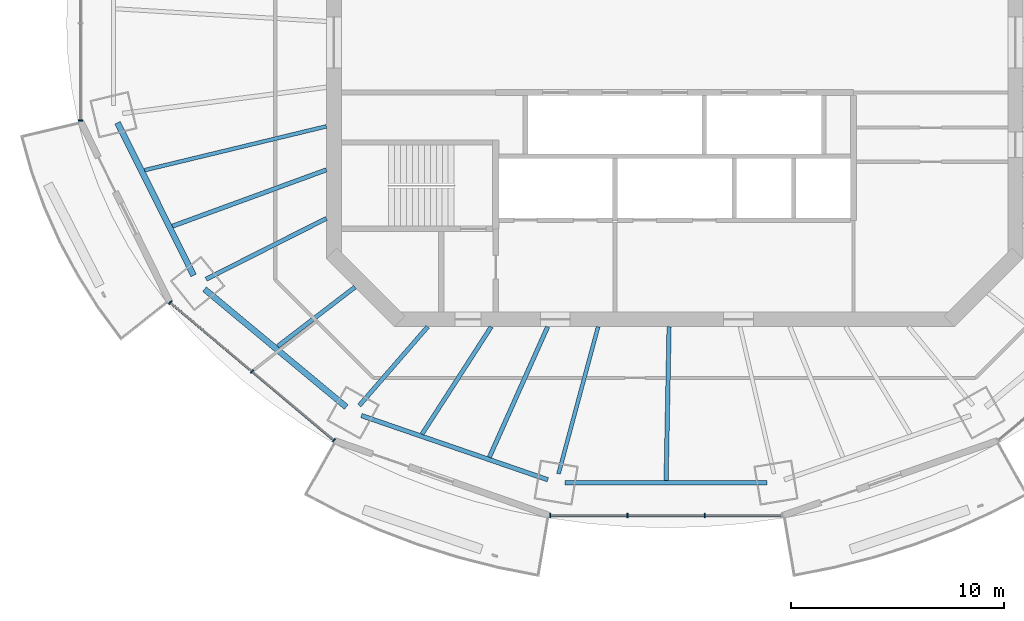
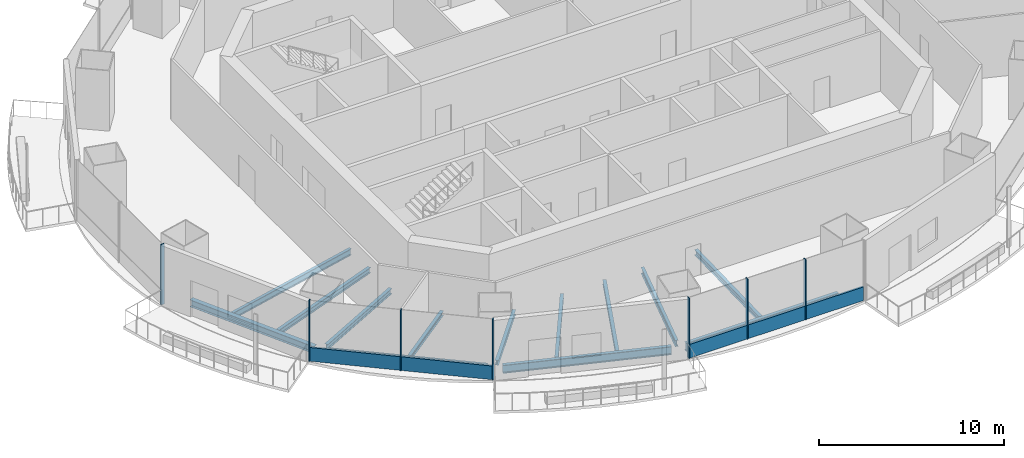
# One storey, part 2 of 16: 13 beams, 9 members, 3 elements without a shape of their own.
"""IFC4 building model written with IfcOpenShell, lengths in metres."""

import ifcopenshell
import ifcopenshell.guid

model = None  # the IFC model being written
_history = None  # IfcOwnerHistory: only IFC2X3 demands one
_inside = {}  # id of a spatial element -> (the spatial element, [elements in it])
_under = {}  # id of a project, library or spatial element -> (it, [spatial elements below it])
_declared = {}  # id of a project -> (the project, [libraries it declares])
_typed = {}  # id of a type object -> (the type object, [elements of that type])
_made_of = {}  # id of a material, layer set ... -> (it, [elements and type objects made of it])


def new_model(schema):
    """Start an empty IFC model of exactly this schema.

    Asked for "IFC4X3", IfcOpenShell would pick the latest addendum, in which some entities
    have other attributes; the version numbers below select the first issue.
    IFC2X3 requires an IfcOwnerHistory on every rooted entity: one is made here for all.
    """
    global model, _history
    if schema == "IFC4X3":
        model = ifcopenshell.file(schema_version=(4, 3, 0, 0))
    else:
        model = ifcopenshell.file(schema=schema)
    _inside.clear()
    _under.clear()
    _declared.clear()
    _typed.clear()
    _made_of.clear()
    _history = None
    if model.schema == "IFC2X3":
        org = make("IfcOrganization", Name="unknown")
        user = make(
            "IfcPersonAndOrganization",
            ThePerson=make("IfcPerson", FamilyName="unknown"),
            TheOrganization=org,
        )
        app = make(
            "IfcApplication",
            ApplicationDeveloper=org,
            Version="unknown",
            ApplicationFullName="unknown",
            ApplicationIdentifier="unknown",
        )
        _history = make(
            "IfcOwnerHistory",
            OwningUser=user,
            OwningApplication=app,
            ChangeAction="ADDED",
            CreationDate=0,
        )
    return model


def make(cls, **values):
    """One entity of the class cls with the attributes given. An attribute that is None is left unset."""
    return model.create_entity(
        cls, **{name: value for name, value in values.items() if value is not None}
    )


def rooted(cls, **values):
    """An entity with a GlobalId (a new one), such as an element, a storey or a relation."""
    return make(cls, GlobalId=ifcopenshell.guid.new(), OwnerHistory=_history, **values)


def si_unit(unit_type, name, prefix=None):
    """IfcSIUnit, for example si_unit("LENGTHUNIT", "METRE", prefix="MILLI")."""
    return make("IfcSIUnit", UnitType=unit_type, Prefix=prefix, Name=name)


def assignment(units):
    """IfcUnitAssignment: the units of a project."""
    return None if units is None else make("IfcUnitAssignment", Units=units)


def point(xyz):
    """IfcCartesianPoint."""
    return None if xyz is None else make("IfcCartesianPoint", Coordinates=xyz)


def direction(xyz):
    """IfcDirection."""
    return None if xyz is None else make("IfcDirection", DirectionRatios=xyz)


def frame(location, z_axis=None, x_axis=None):
    """IfcAxis2Placement3D, a coordinate frame: its origin and axes. An axis left out is left unset."""
    return make(
        "IfcAxis2Placement3D",
        Location=point(location),
        Axis=direction(z_axis),
        RefDirection=direction(x_axis),
    )


def frame_2d(location, x_axis=None):
    """IfcAxis2Placement2D, a coordinate frame in the plane: its origin and x axis."""
    return make(
        "IfcAxis2Placement2D", Location=point(location), RefDirection=direction(x_axis)
    )


def origin():
    """The frame at (0, 0, 0) with its axes left unset."""
    return frame((0.0, 0.0, 0.0))


def origin_2d():
    """The frame at (0, 0) in the plane with its x axis left unset."""
    return frame_2d((0.0, 0.0))


def place(relative_to, where):
    """IfcLocalPlacement: puts the frame where relative to a parent placement (None: the world)."""
    return make(
        "IfcLocalPlacement", PlacementRelTo=relative_to, RelativePlacement=where
    )


def context(
    kind, dimensions, precision=None, world=None, true_north=None, identifier=None
):
    """IfcGeometricRepresentationContext, for example the 3D "Model" context."""
    return make(
        "IfcGeometricRepresentationContext",
        ContextIdentifier=identifier,
        ContextType=kind,
        CoordinateSpaceDimension=dimensions,
        Precision=precision,
        WorldCoordinateSystem=world,
        TrueNorth=true_north,
    )


def subcontext(parent, identifier, kind, view, scale=None):
    """IfcGeometricRepresentationSubContext, for example "Body" below "Model"."""
    return make(
        "IfcGeometricRepresentationSubContext",
        ContextIdentifier=identifier,
        ContextType=kind,
        ParentContext=parent,
        TargetScale=scale,
        TargetView=view,
    )


def project(units=None, contexts=None):
    """IfcProject with its units and contexts."""
    return rooted(
        "IfcProject",
        Name="project",
        RepresentationContexts=contexts,
        UnitsInContext=assignment(units),
    )


def spatial(cls, under=None, at=None, **own):
    """A site, building, storey or space (cls), placed at a placement, below another one or the project."""
    s = rooted(cls, ObjectPlacement=at, **own)
    if under is not None:
        _under.setdefault(under.id(), (under, []))[1].append(s)
    return s


def profile(cls, at=None, kind="AREA", **sizes):
    """A parametric profile (cls). Its sizes go by their IFC names, for example OverallWidth=200.0."""
    return make(cls, ProfileType=kind, Position=at, **sizes)


def rectangle(**sizes):
    """IfcRectangleProfileDef."""
    return profile("IfcRectangleProfileDef", **sizes)


def i_section(**sizes):
    """IfcIShapeProfileDef."""
    return profile("IfcIShapeProfileDef", **sizes)


def extrude(swept, where, along, depth):
    """IfcExtrudedAreaSolid: the profile swept, set in the frame where, extruded along a direction by depth."""
    return make(
        "IfcExtrudedAreaSolid",
        SweptArea=swept,
        Position=where,
        ExtrudedDirection=direction(along),
        Depth=depth,
    )


def shape(context_of_items, identifier, shape_type, items):
    """IfcShapeRepresentation: the items that make up one representation, for example the "Body"."""
    return make(
        "IfcShapeRepresentation",
        ContextOfItems=context_of_items,
        RepresentationIdentifier=identifier,
        RepresentationType=shape_type,
        Items=items,
    )


def material(Name=None, Category=None):
    """IfcMaterial."""
    return make("IfcMaterial", Name=Name, Category=Category)


def material_profile(
    of_material, cross_section, Name=None, Category=None, Priority=None
):
    """IfcMaterialProfile: a cross section and its material."""
    return make(
        "IfcMaterialProfile",
        Name=Name,
        Material=of_material,
        Profile=cross_section,
        Priority=Priority,
        Category=Category,
    )


def profile_set(profiles, Name=None, composite=None):
    """IfcMaterialProfileSet."""
    return make(
        "IfcMaterialProfileSet",
        Name=Name,
        MaterialProfiles=profiles,
        CompositeProfile=composite,
    )


def made_of(thing, what):
    """Note that an element or type object is made of a material, layer set ...; save() writes the relation."""
    if what is not None:
        _made_of.setdefault(what.id(), (what, []))[1].append(thing)
    return thing


def type_object(cls, material=None, **own):
    """A type object (cls), such as IfcWallType, which elements share."""
    return made_of(rooted(cls, **own), material)


def element(
    cls,
    number,
    at=None,
    inside=None,
    cuts=None,
    type_object=None,
    material=None,
    context=None,
    identifier="Body",
    shape_type=None,
    held_by="IfcProductDefinitionShape",
    body=None,
    shapes=None,
    **own,
):
    """One element of the class cls, such as IfcWall. Its Tag is "e" and its number.

    at: its placement. inside: the storey or other place that contains it. cuts: it is an
    opening in that element (IfcRelVoidsElement). A single representation is given by context,
    identifier, shape_type and body (its items); several are given by shapes. held_by: the class
    of the entity that holds the representations. save() writes the other relations.
    """
    e = rooted(cls, Tag="e%d" % number, ObjectPlacement=at, **own)
    if body is not None:
        shapes = [shape(context, identifier, shape_type, body)]
    if shapes is not None:
        e.Representation = make(held_by, Representations=shapes)
    if inside is not None:
        _inside.setdefault(inside.id(), (inside, []))[1].append(e)
    if cuts is not None:
        rooted(
            "IfcRelVoidsElement", RelatingBuildingElement=cuts, RelatedOpeningElement=e
        )
    if type_object is not None:
        _typed.setdefault(type_object.id(), (type_object, []))[1].append(e)
    return made_of(e, material)


def aggregate(whole, parts):
    """IfcRelAggregates: a whole, such as a stair, and the parts it consists of."""
    return rooted("IfcRelAggregates", RelatingObject=whole, RelatedObjects=parts)


def save(model, path):
    """Write the relations noted so far, then the file.

    IfcRelAggregates (storeys below a building ...), IfcRelContainedInSpatialStructure (elements
    in a storey), IfcRelDefinesByType, IfcRelAssociatesMaterial and IfcRelDeclares: one each for
    every whole, place, type object, material and project.
    """
    for whole, parts in _under.values():
        aggregate(whole, parts)
    for where, things in _inside.values():
        rooted(
            "IfcRelContainedInSpatialStructure",
            RelatedElements=things,
            RelatingStructure=where,
        )
    for kind, things in _typed.values():
        rooted("IfcRelDefinesByType", RelatedObjects=things, RelatingType=kind)
    for what, things in _made_of.values():
        rooted("IfcRelAssociatesMaterial", RelatedObjects=things, RelatingMaterial=what)
    for by, libraries in _declared.values():
        rooted("IfcRelDeclares", RelatingContext=by, RelatedDefinitions=libraries)
    model.write(path)


model = new_model("IFC4")

# Units and contexts
model_context = context("Model", 3, precision=1e-05, world=origin(), true_north=direction((0.0, 1.0)))
body_context = subcontext(model_context, "Body", "Model", "MODEL_VIEW")
ifc_project = project(units=[si_unit("LENGTHUNIT", "METRE"), si_unit("AREAUNIT", "SQUARE_METRE"), si_unit("VOLUMEUNIT", "CUBIC_METRE"), si_unit("PLANEANGLEUNIT", "RADIAN"), si_unit("MASSUNIT", "GRAM", prefix="KILO")], contexts=[model_context])

# Site, building, storey
site_placement = place(None, origin())
site = spatial("IfcSite", under=ifc_project, at=site_placement, CompositionType="ELEMENT")
building_placement = place(site_placement, origin())
building = spatial("IfcBuilding", under=site, at=building_placement, Name="Marenthal Gate Tower", CompositionType="ELEMENT")
storey_placement = place(building_placement, frame((0.0, 0.0, 313.550048828125)))
storey = spatial("IfcBuildingStorey", under=building, at=storey_placement, Name="L70", CompositionType="ELEMENT", Elevation=313.550048828125)

# Curtain wall, member
ifc_material_1 = material(Name="Aluminium and glass", Category="aluminium")
curtain_wall_type = type_object("IfcCurtainWallType", Name="Curtain wall typical high", PredefinedType="NOTDEFINED", material=ifc_material_1)
curtain_wall_1_placement = place(storey_placement, origin())
curtain_wall_1 = element("IfcCurtainWall", 1, at=curtain_wall_1_placement, inside=storey, type_object=curtain_wall_type, Name="Curtain wall L70 bay 8", PredefinedType="NOTDEFINED")
ifc_material_2 = material(Name="Aluminium", Category="aluminium")
ifc_material_profile_1 = material_profile(ifc_material_2, rectangle(XDim=0.199951171875, YDim=0.06005859375, at=origin_2d()), Name="60x200 aluminium mullion")
ifc_profile_set_1 = profile_set([ifc_material_profile_1], Name="Aluminium")
member_type_1 = type_object("IfcMemberType", Name="Mullion 60x200 typical high", PredefinedType="MULLION", material=ifc_profile_set_1)
member_1_placement = place(storey_placement, frame((-27.895263671875, -3.668701171875, 0.0), z_axis=(0.0, 0.0, 1.0), x_axis=(1.0, 0.0, 0.0)))
member_1 = element("IfcMember", 2, at=member_1_placement, type_object=member_type_1, Name="Mullion L70 bay 8.3", PredefinedType="MULLION", context=body_context, shape_type="SweptSolid", body=[
    extrude(rectangle(XDim=0.199951171875, YDim=0.06005859375, at=origin_2d()), origin(), (0.0, 0.0, 1.0), 3.969970703125),
])
aggregate(curtain_wall_1, [member_1])

# Curtain wall, members
curtain_wall_2_placement = place(storey_placement, origin())
curtain_wall_2 = element("IfcCurtainWall", 3, at=curtain_wall_2_placement, inside=storey, type_object=curtain_wall_type, Name="Curtain wall L70 bay 10", PredefinedType="NOTDEFINED")
member_2_placement = place(storey_placement, frame((-23.6865234375, -12.215087890625, 0.0), z_axis=(0.0, 0.0, 1.0), x_axis=(0.643570293048, 0.765387011848, 0.0)))
member_2 = element("IfcMember", 4, at=member_2_placement, type_object=member_type_1, Name="Mullion L70 bay 10.1", PredefinedType="MULLION", context=body_context, shape_type="SweptSolid", body=[
    extrude(rectangle(XDim=0.199951171875, YDim=0.06005859375, at=origin_2d()), origin(), (0.0, 0.0, 1.0), 3.969970703125),
])
member_3_placement = place(storey_placement, frame((-19.842041015625, -15.44775390625, 0.0), z_axis=(0.0, 0.0, 1.0), x_axis=(0.643570293048, 0.765387011848, 0.0)))
member_3 = element("IfcMember", 5, at=member_3_placement, type_object=member_type_1, Name="Mullion L70 bay 10.2", PredefinedType="MULLION", context=body_context, shape_type="SweptSolid", body=[
    extrude(rectangle(XDim=0.199951171875, YDim=0.06005859375, at=origin_2d()), origin(), (0.0, 0.0, 1.0), 3.969970703125),
])
member_4_placement = place(storey_placement, frame((-15.997802734375, -18.68017578125, 0.0), z_axis=(0.0, 0.0, 1.0), x_axis=(0.643570293048, 0.765387011848, 0.0)))
member_4 = element("IfcMember", 6, at=member_4_placement, type_object=member_type_1, Name="Mullion L70 bay 10.3", PredefinedType="MULLION", context=body_context, shape_type="SweptSolid", body=[
    extrude(rectangle(XDim=0.199951171875, YDim=0.06005859375, at=origin_2d()), origin(), (0.0, 0.0, 1.0), 3.969970703125),
])

curtain_wall_3_placement = place(storey_placement, origin())
curtain_wall_3 = element("IfcCurtainWall", 7, at=curtain_wall_3_placement, inside=storey, type_object=curtain_wall_type, Name="Curtain wall L70 bay 12", PredefinedType="NOTDEFINED")
member_5_placement = place(storey_placement, frame((-5.839111328125, -22.218994140625, 0.0), z_axis=(0.0, 0.0, 1.0), x_axis=(0.0, 1.0, 0.0)))
member_5 = element("IfcMember", 8, at=member_5_placement, type_object=member_type_1, Name="Mullion L70 bay 12.1", PredefinedType="MULLION", context=body_context, shape_type="SweptSolid", body=[
    extrude(rectangle(XDim=0.199951171875, YDim=0.06005859375, at=origin_2d()), origin(), (0.0, 0.0, 1.0), 3.969970703125),
])
member_6_placement = place(storey_placement, frame((-2.213134765625, -22.218994140625, 0.0), z_axis=(0.0, 0.0, 1.0), x_axis=(0.0, 1.0, 0.0)))
member_6 = element("IfcMember", 9, at=member_6_placement, type_object=member_type_1, Name="Mullion L70 bay 12.2", PredefinedType="MULLION", context=body_context, shape_type="SweptSolid", body=[
    extrude(rectangle(XDim=0.199951171875, YDim=0.06005859375, at=origin_2d()), origin(), (0.0, 0.0, 1.0), 3.969970703125),
])
member_7_placement = place(storey_placement, frame((1.4130859375, -22.218994140625, 0.0), z_axis=(0.0, 0.0, 1.0), x_axis=(0.0, 1.0, 0.0)))
member_7 = element("IfcMember", 10, at=member_7_placement, type_object=member_type_1, Name="Mullion L70 bay 12.3", PredefinedType="MULLION", context=body_context, shape_type="SweptSolid", body=[
    extrude(rectangle(XDim=0.199951171875, YDim=0.06005859375, at=origin_2d()), origin(), (0.0, 0.0, 1.0), 3.969970703125),
])

# Member
ifc_material_3 = material(Name="Aluminium", Category="aluminium")
ifc_material_profile_2 = material_profile(ifc_material_3, rectangle(XDim=0.1201171875, YDim=0.89990234375, at=origin_2d()), Name="120x900 aluminium transom")
ifc_profile_set_2 = profile_set([ifc_material_profile_2], Name="Aluminium")
member_type_2 = type_object("IfcMemberType", Name="Transom 120x900 typical high", PredefinedType="USERDEFINED", material=ifc_profile_set_2)
member_8_placement = place(storey_placement, frame((-23.66357421875, -12.234619140625, 0.449951171875), z_axis=(0.765406153231, -0.643547527845, 0.0), x_axis=(0.643547527845, 0.765406153231, 0.0)))
member_8 = element("IfcMember", 11, at=member_8_placement, type_object=member_type_2, Name="Transom L70 bay 10", ObjectType="TRANSOM", PredefinedType="USERDEFINED", context=body_context, shape_type="SweptSolid", body=[
    extrude(rectangle(XDim=0.1201171875, YDim=0.89990234375, at=origin_2d()), origin(), (0.0, 0.0, 1.0), 9.9853515625),
])

aggregate(curtain_wall_2, [member_2, member_3, member_4, member_8])

member_9_placement = place(storey_placement, frame((-5.80908203125, -22.218994140625, 0.449951171875), z_axis=(1.0, 0.0, 0.0), x_axis=(0.0, 1.0, 0.0)))
member_9 = element("IfcMember", 12, at=member_9_placement, type_object=member_type_2, Name="Transom L70 bay 12", ObjectType="TRANSOM", PredefinedType="USERDEFINED", context=body_context, shape_type="SweptSolid", body=[
    extrude(rectangle(XDim=0.1201171875, YDim=0.89990234375, at=origin_2d()), origin(), (0.0, 0.0, 1.0), 10.818359375),
])

aggregate(curtain_wall_3, [member_5, member_6, member_7, member_9])

# Beams
ifc_material_4 = material(Name="Steel S355", Category="steel")
ifc_material_profile_3 = material_profile(ifc_material_4, i_section(OverallWidth=0.202880859375, OverallDepth=0.302001953125, WebThickness=0.007568359375, FlangeThickness=0.01318359375, FilletRadius=0.0126953125, at=origin_2d()), Name="W310X60")
ifc_profile_set_3 = profile_set([ifc_material_profile_3], Name="Steel S355")
beam_type_1 = type_object("IfcBeamType", Name="W310X60 beam", PredefinedType="BEAM", material=ifc_profile_set_3)
beam_1_placement = place(storey_placement, frame((-18.6328125, -14.264892578125, -0.3310546875), z_axis=(0.794020874195, 0.607890492887, 0.0), x_axis=(-0.607890492887, 0.794020874195, 0.0)))
element("IfcBeam", 13, at=beam_1_placement, inside=storey, type_object=beam_type_1, Name="BM-L70-31", PredefinedType="BEAM", context=body_context, shape_type="SweptSolid", body=[
    extrude(i_section(OverallWidth=0.202880859375, OverallDepth=0.302001953125, WebThickness=0.007568359375, FlangeThickness=0.01318359375, FilletRadius=0.0126953125, at=origin_2d()), origin(), (0.0, 0.0, 1.0), 4.567138671875),
])
beam_2_placement = place(storey_placement, frame((-11.859130859375, -18.388427734375, -0.3310546875), z_axis=(0.542006284821, 0.840374432747, 0.0), x_axis=(-0.840374432747, 0.542006284821, 0.0)))
element("IfcBeam", 14, at=beam_2_placement, inside=storey, type_object=beam_type_1, Name="BM-L70-32", PredefinedType="BEAM", context=body_context, shape_type="SweptSolid", body=[
    extrude(i_section(OverallWidth=0.202880859375, OverallDepth=0.302001953125, WebThickness=0.007568359375, FlangeThickness=0.01318359375, FilletRadius=0.0126953125, at=origin_2d()), origin(), (0.0, 0.0, 1.0), 5.995361328125),
])
ifc_material_5 = material(Name="Steel S355", Category="steel")
ifc_material_profile_4 = material_profile(ifc_material_5, i_section(OverallWidth=0.205078125, OverallDepth=0.31005859375, WebThickness=0.009521484375, FlangeThickness=0.016357421875, FilletRadius=0.0126953125, at=origin_2d()), Name="W310X74")
ifc_profile_set_4 = profile_set([ifc_material_profile_4], Name="Steel S355")
beam_type_2 = type_object("IfcBeamType", Name="W310X74 beam", PredefinedType="BEAM", material=ifc_profile_set_4)
beam_3_placement = place(storey_placement, frame((-14.80517578125, -17.04931640625, -0.3349609375), z_axis=(0.655706091283, 0.755016239464, 0.0), x_axis=(-0.755016239464, 0.655706091283, 0.0)))
element("IfcBeam", 15, at=beam_3_placement, inside=storey, type_object=beam_type_2, Name="BM-L70-11", PredefinedType="BEAM", context=body_context, shape_type="SweptSolid", body=[
    extrude(i_section(OverallWidth=0.205078125, OverallDepth=0.31005859375, WebThickness=0.009521484375, FlangeThickness=0.016357421875, FilletRadius=0.0126953125, at=origin_2d()), origin(), (0.0, 0.0, 1.0), 4.8994140625),
])
beam_4_placement = place(storey_placement, frame((-8.6962890625, -19.477783203125, -0.3349609375), z_axis=(0.407683883714, 0.913123130229, 0.0), x_axis=(-0.913123130229, 0.407683883714, 0.0)))
element("IfcBeam", 16, at=beam_4_placement, inside=storey, type_object=beam_type_2, Name="BM-L70-33", PredefinedType="BEAM", context=body_context, shape_type="SweptSolid", body=[
    extrude(i_section(OverallWidth=0.205078125, OverallDepth=0.31005859375, WebThickness=0.009521484375, FlangeThickness=0.016357421875, FilletRadius=0.0126953125, at=origin_2d()), origin(), (0.0, 0.0, 1.0), 6.710693359375),
])
ifc_material_6 = material(Name="Steel S355", Category="steel")
ifc_material_profile_5 = material_profile(ifc_material_6, i_section(OverallWidth=0.205078125, OverallDepth=0.35302734375, WebThickness=0.009521484375, FlangeThickness=0.016845703125, FilletRadius=0.014892578125, at=origin_2d()), Name="W360X79")
ifc_profile_set_5 = profile_set([ifc_material_profile_5], Name="Steel S355")
beam_type_3 = type_object("IfcBeamType", Name="W360X79 beam", PredefinedType="BEAM", material=ifc_profile_set_5)
beam_5_placement = place(storey_placement, frame((-21.998046875, -11.1171875, -0.3564453125), z_axis=(0.892489913638, 0.451067349799, 0.0), x_axis=(-0.451067349799, 0.892489913638, 0.0)))
element("IfcBeam", 17, at=beam_5_placement, inside=storey, type_object=beam_type_3, Name="BM-L70-10", PredefinedType="BEAM", context=body_context, shape_type="SweptSolid", body=[
    extrude(i_section(OverallWidth=0.205078125, OverallDepth=0.35302734375, WebThickness=0.009521484375, FlangeThickness=0.016845703125, FilletRadius=0.014892578125, at=origin_2d()), origin(), (0.0, 0.0, 1.0), 6.328369140625),
])
beam_6_placement = place(storey_placement, frame((-23.58056640625, -8.627197265625, -0.3564453125), z_axis=(0.939124099885, 0.343578120687, 0.0), x_axis=(-0.343578120687, 0.939124099885, 0.0)))
element("IfcBeam", 18, at=beam_6_placement, inside=storey, type_object=beam_type_3, Name="BM-L70-30", PredefinedType="BEAM", context=body_context, shape_type="SweptSolid", body=[
    extrude(i_section(OverallWidth=0.205078125, OverallDepth=0.35302734375, WebThickness=0.009521484375, FlangeThickness=0.016845703125, FilletRadius=0.014892578125, at=origin_2d()), origin(), (0.0, 0.0, 1.0), 7.69921875),
])
beam_7_placement = place(storey_placement, frame((-0.39794921875, -20.5634765625, -0.3564453125), z_axis=(0.019356015655, 0.99981265478, 0.0), x_axis=(-0.99981265478, 0.019356015655, 0.0)))
element("IfcBeam", 19, at=beam_7_placement, inside=storey, type_object=beam_type_3, Name="BM-L70-34", PredefinedType="BEAM", context=body_context, shape_type="SweptSolid", body=[
    extrude(i_section(OverallWidth=0.205078125, OverallDepth=0.35302734375, WebThickness=0.009521484375, FlangeThickness=0.016845703125, FilletRadius=0.014892578125, at=origin_2d()), origin(), (0.0, 0.0, 1.0), 7.21484375),
])
ifc_material_7 = material(Name="Steel S355", Category="steel")
ifc_material_profile_6 = material_profile(ifc_material_7, i_section(OverallWidth=0.180908203125, OverallDepth=0.4169921875, WebThickness=0.010986328125, FlangeThickness=0.018310546875, FilletRadius=0.01025390625, at=origin_2d()), Name="W410X85")
ifc_profile_set_6 = profile_set([ifc_material_profile_6], Name="Steel S355")
beam_type_4 = type_object("IfcBeamType", Name="W410X85 beam", PredefinedType="BEAM", material=ifc_profile_set_6)
beam_8_placement = place(storey_placement, frame((-5.44921875, -20.254638671875, -0.388427734375), z_axis=(0.259778768314, 0.965668158082, 0.0), x_axis=(-0.965668158082, 0.259778768314, 0.0)))
element("IfcBeam", 20, at=beam_8_placement, inside=storey, type_object=beam_type_4, Name="BM-L70-12", PredefinedType="BEAM", context=body_context, shape_type="SweptSolid", body=[
    extrude(i_section(OverallWidth=0.180908203125, OverallDepth=0.4169921875, WebThickness=0.010986328125, FlangeThickness=0.018310546875, FilletRadius=0.01025390625, at=origin_2d()), origin(), (0.0, 0.0, 1.0), 7.14990234375),
])
beam_9_placement = place(storey_placement, frame((-24.889892578125, -5.99951171875, -0.388427734375), z_axis=(0.972153206596, 0.234346203094, 0.0), x_axis=(-0.234346203094, 0.972153206596, 0.0)))
element("IfcBeam", 21, at=beam_9_placement, inside=storey, type_object=beam_type_4, Name="BM-L70-29", PredefinedType="BEAM", context=body_context, shape_type="SweptSolid", body=[
    extrude(i_section(OverallWidth=0.180908203125, OverallDepth=0.4169921875, WebThickness=0.010986328125, FlangeThickness=0.018310546875, FilletRadius=0.01025390625, at=origin_2d()), origin(), (0.0, 0.0, 1.0), 8.784423828125),
])
ifc_material_8 = material(Name="Steel S355", Category="steel")
ifc_material_profile_7 = material_profile(ifc_material_8, i_section(OverallWidth=0.279052734375, OverallDepth=0.4619140625, WebThickness=0.0107421875, FlangeThickness=0.017333984375, FilletRadius=0.010009765625, at=origin_2d()), Name="W460X113")
ifc_profile_set_7 = profile_set([ifc_material_profile_7], Name="Steel S355")
beam_type_5 = type_object("IfcBeamType", Name="W460X113 beam", PredefinedType="BEAM", material=ifc_profile_set_7)
beam_10_placement = place(storey_placement, frame((-26.15673828125, -3.769775390625, -0.4111328125), z_axis=(0.445969956735, -0.895047930387, 0.0), x_axis=(0.895047930387, 0.445969956735, 0.0)))
element("IfcBeam", 22, at=beam_10_placement, inside=storey, type_object=beam_type_5, Name="BM-L70-49", PredefinedType="BEAM", context=body_context, shape_type="SweptSolid", body=[
    extrude(i_section(OverallWidth=0.279052734375, OverallDepth=0.4619140625, WebThickness=0.0107421875, FlangeThickness=0.017333984375, FilletRadius=0.010009765625, at=origin_2d()), origin(), (0.0, 0.0, 1.0), 8.01220703125),
])
beam_11_placement = place(storey_placement, frame((-22.073974609375, -11.585693359375, -0.4111328125), z_axis=(0.768976642978, -0.639276874722, 0.0), x_axis=(0.639276874722, 0.768976642978, 0.0)))
element("IfcBeam", 23, at=beam_11_placement, inside=storey, type_object=beam_type_5, Name="BM-L70-50", PredefinedType="BEAM", context=body_context, shape_type="SweptSolid", body=[
    extrude(i_section(OverallWidth=0.279052734375, OverallDepth=0.4619140625, WebThickness=0.0107421875, FlangeThickness=0.017333984375, FilletRadius=0.010009765625, at=origin_2d()), origin(), (0.0, 0.0, 1.0), 8.656982421875),
])
ifc_material_9 = material(Name="Steel S355", Category="steel")
ifc_material_profile_8 = material_profile(ifc_material_9, i_section(OverallWidth=0.2119140625, OverallDepth=0.5439453125, WebThickness=0.01318359375, FlangeThickness=0.021240234375, FilletRadius=0.0126953125, at=origin_2d()), Name="W530X123")
ifc_profile_set_8 = profile_set([ifc_material_profile_8], Name="Steel S355")
beam_type_6 = type_object("IfcBeamType", Name="W530X123 beam", PredefinedType="BEAM", material=ifc_profile_set_8)
beam_12_placement = place(storey_placement, frame((-14.705810546875, -17.5205078125, -0.4521484375), z_axis=(0.945520555147, -0.325562405377, 0.0), x_axis=(0.325562405377, 0.945520555147, 0.0)))
element("IfcBeam", 24, at=beam_12_placement, inside=storey, type_object=beam_type_6, Name="BM-L70-51", PredefinedType="BEAM", context=body_context, shape_type="SweptSolid", body=[
    extrude(i_section(OverallWidth=0.2119140625, OverallDepth=0.5439453125, WebThickness=0.01318359375, FlangeThickness=0.021240234375, FilletRadius=0.0126953125, at=origin_2d()), origin(), (0.0, 0.0, 1.0), 9.259033203125),
])
beam_13_placement = place(storey_placement, frame((-5.148681640625, -20.66943359375, -0.4521484375), z_axis=(1.0, 0.0, 0.0), x_axis=(0.0, 1.0, 0.0)))
element("IfcBeam", 25, at=beam_13_placement, inside=storey, type_object=beam_type_6, Name="BM-L70-52", PredefinedType="BEAM", context=body_context, shape_type="SweptSolid", body=[
    extrude(i_section(OverallWidth=0.2119140625, OverallDepth=0.5439453125, WebThickness=0.01318359375, FlangeThickness=0.021240234375, FilletRadius=0.0126953125, at=origin_2d()), origin(), (0.0, 0.0, 1.0), 9.497314453125),
])

save(model, "model.ifc")
